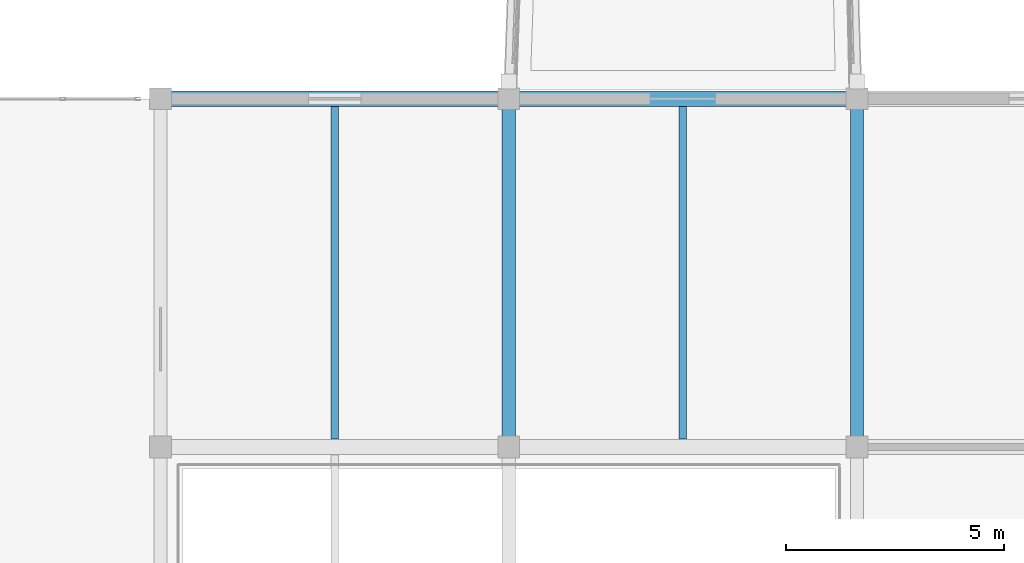
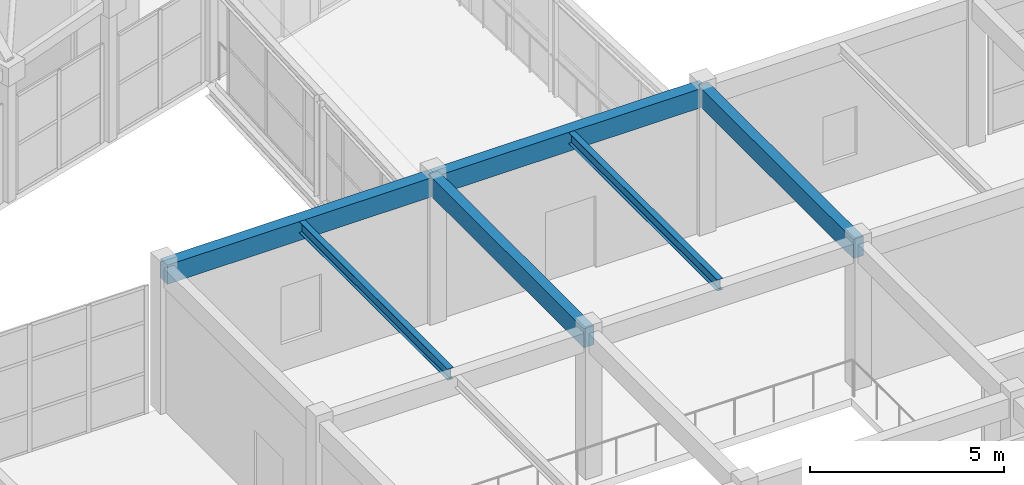
# One storey, part 19 of 248: 6 beams.
"""IFC4 building model written with IfcOpenShell, lengths in metres."""

from ifc_helpers import new_model, si_unit, direction, frame, origin, origin_2d, place, context, subcontext, project, spatial, rectangle, i_section, extrude, material, material_profile, profile_set, type_object, element, save


model = new_model("IFC4")

# Units and contexts
model_context = context("Model", 3, precision=1e-05, world=origin(), true_north=direction((0.0, 1.0)))
body_context = subcontext(model_context, "Body", "Model", "MODEL_VIEW")
ifc_project = project(units=[si_unit("LENGTHUNIT", "METRE"), si_unit("AREAUNIT", "SQUARE_METRE"), si_unit("VOLUMEUNIT", "CUBIC_METRE"), si_unit("PLANEANGLEUNIT", "RADIAN"), si_unit("MASSUNIT", "GRAM", prefix="KILO")], contexts=[model_context])

# Site, building, storey
site_placement = place(None, origin())
site = spatial("IfcSite", under=ifc_project, at=site_placement, CompositionType="ELEMENT")
building_placement = place(site_placement, origin())
building = spatial("IfcBuilding", under=site, at=building_placement, Name="Canggui Botanical Conservatory", CompositionType="ELEMENT")
storey_placement = place(building_placement, frame((0.0, 0.0, 5.39990234375)))
storey = spatial("IfcBuildingStorey", under=building, at=storey_placement, Name="L02", CompositionType="ELEMENT", Elevation=5.39990234375)

# Beams
ifc_material_1 = material(Name="Steel Q355B", Category="steel")
ifc_material_profile_1 = material_profile(ifc_material_1, i_section(OverallWidth=0.175048828125, OverallDepth=0.35009765625, WebThickness=0.007080078125, FlangeThickness=0.010986328125, FilletRadius=0.013916015625, at=origin_2d()), Name="HN 350x175x7x11")
ifc_profile_set_1 = profile_set([ifc_material_profile_1], Name="Steel Q355B")
beam_type_1 = type_object("IfcBeamType", Name="BM-JST07", PredefinedType="JOIST", material=ifc_profile_set_1)
for number, where, z_axis, x_axis, name in (
    (1, (30.0, 26.179931640625, 4.385009765625), (0.0, 1.0, 0.0), (-1.0, 0.0, 0.0), "Visitor Composite Steel Joist L02-1-3"),
    (2, (38.0, 26.179931640625, 4.385009765625), (0.0, 1.0, 0.0), (-1.0, 0.0, 0.0), "Visitor Composite Steel Joist L02-2-3"),
):
    element("IfcBeam", number, at=place(storey_placement, frame(where, z_axis=z_axis, x_axis=x_axis)), inside=storey, type_object=beam_type_1, Name=name, PredefinedType="JOIST", context=body_context, shape_type="SweptSolid", body=[
        extrude(i_section(OverallWidth=0.175048828125, OverallDepth=0.35009765625, WebThickness=0.007080078125, FlangeThickness=0.010986328125, FilletRadius=0.013916015625, at=origin_2d()), origin(), (0.0, 0.0, 1.0), 7.64013671875),
    ])
ifc_material_2 = material(Name="Concrete C35", Category="concrete")
ifc_material_profile_2 = material_profile(ifc_material_2, rectangle(XDim=0.35009765625, YDim=0.60009765625, at=origin_2d()), Name="RB 350x600")
ifc_profile_set_2 = profile_set([ifc_material_profile_2], Name="Concrete C35")
beam_type_2 = type_object("IfcBeamType", Name="BM-KL19", PredefinedType="BEAM", material=ifc_profile_set_2)
for number, where, z_axis, x_axis, name in (
    (3, (26.0, 34.0, 4.260009765625), (1.0, 0.0, 0.0), (0.0, 1.0, 0.0), "Visitor Girder L02 Y34-1"),
    (4, (34.0, 34.0, 4.260009765625), (1.0, 0.0, 0.0), (0.0, 1.0, 0.0), "Visitor Girder L02 Y34-2"),
):
    element("IfcBeam", number, at=place(storey_placement, frame(where, z_axis=z_axis, x_axis=x_axis)), inside=storey, type_object=beam_type_2, Name=name, PredefinedType="BEAM", context=body_context, shape_type="SweptSolid", body=[
        extrude(rectangle(XDim=0.35009765625, YDim=0.60009765625, at=origin_2d()), origin(), (0.0, 0.0, 1.0), 8.0),
    ])
ifc_material_profile_3 = material_profile(ifc_material_2, rectangle(XDim=0.300048828125, YDim=0.60009765625, at=origin_2d()), Name="RB 300x600")
ifc_profile_set_3 = profile_set([ifc_material_profile_3], Name="Concrete C35")
beam_type_3 = type_object("IfcBeamType", Name="BM-KL23", PredefinedType="BEAM", material=ifc_profile_set_3)
for number, where, z_axis, x_axis, name in (
    (5, (34.0, 26.0, 4.260009765625), (0.0, 1.0, 0.0), (-1.0, 0.0, 0.0), "Visitor Girder L02 X34-3"),
    (6, (42.0, 26.0, 4.260009765625), (0.0, 1.0, 0.0), (-1.0, 0.0, 0.0), "Visitor Girder L02 X42-3"),
):
    element("IfcBeam", number, at=place(storey_placement, frame(where, z_axis=z_axis, x_axis=x_axis)), inside=storey, type_object=beam_type_3, Name=name, PredefinedType="BEAM", context=body_context, shape_type="SweptSolid", body=[
        extrude(rectangle(XDim=0.300048828125, YDim=0.60009765625, at=origin_2d()), origin(), (0.0, 0.0, 1.0), 8.0),
    ])

save(model, "model.ifc")
